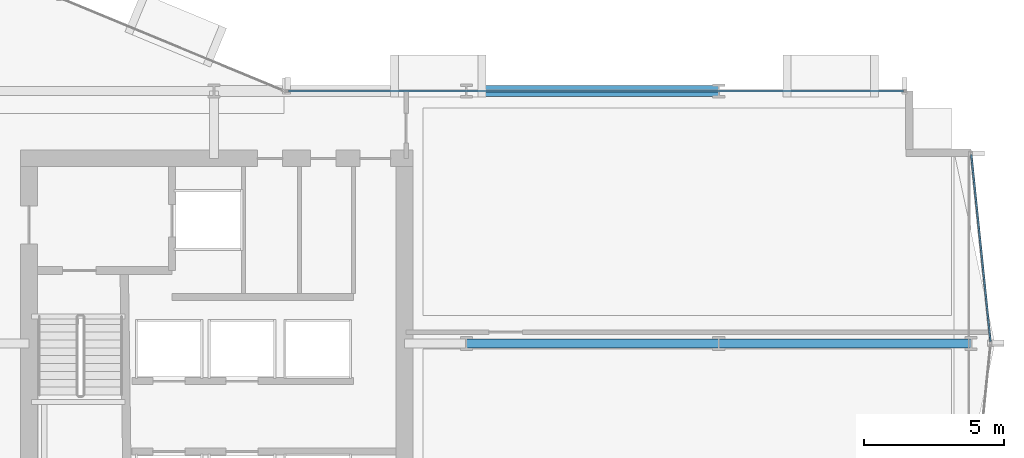
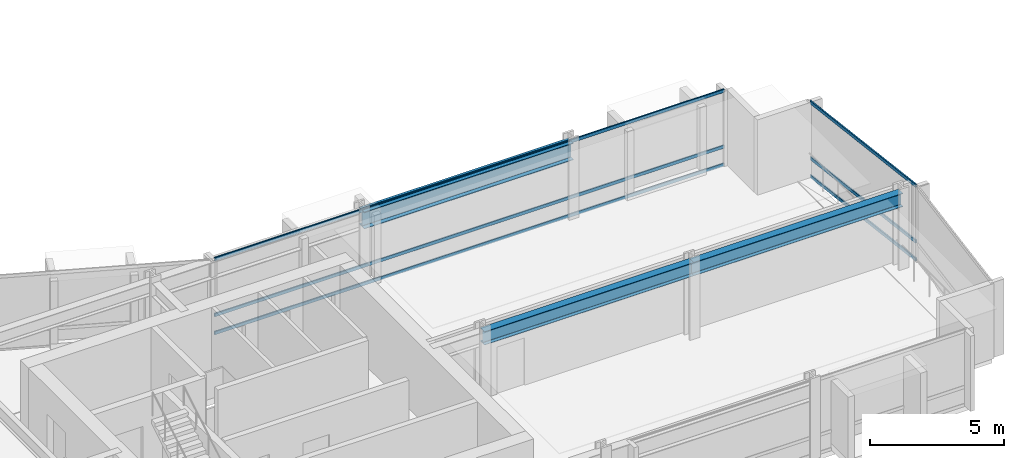
# One storey, part 16 of 34: 6 members, 3 beams, 2 elements without a shape of their own.
"""IFC4 building model written with IfcOpenShell, lengths in metres."""

from ifc_helpers import new_model, si_unit, direction, frame, origin, origin_2d, place, context, subcontext, project, spatial, hollow_rectangle, i_section, extrude, material, layer, layer_set, material_profile, profile_set, type_object, element, aggregate, save


model = new_model("IFC4")

# Units and contexts
model_context = context("Model", 3, precision=1e-05, world=origin(), true_north=direction((0.0, 1.0)))
body_context = subcontext(model_context, "Body", "Model", "MODEL_VIEW")
ifc_project = project(units=[si_unit("LENGTHUNIT", "METRE"), si_unit("AREAUNIT", "SQUARE_METRE"), si_unit("VOLUMEUNIT", "CUBIC_METRE"), si_unit("PLANEANGLEUNIT", "RADIAN"), si_unit("MASSUNIT", "GRAM", prefix="KILO")], contexts=[model_context])

# Site, building, storey
site_placement = place(None, origin())
site = spatial("IfcSite", under=ifc_project, at=site_placement, CompositionType="ELEMENT")
building_placement = place(site_placement, origin())
building = spatial("IfcBuilding", under=site, at=building_placement, Name="Solvaryn Broadcast Tower", CompositionType="ELEMENT")
storey_placement = place(building_placement, frame((0.0, 0.0, 65.60009765625)))
storey = spatial("IfcBuildingStorey", under=building, at=storey_placement, Name="L15", CompositionType="ELEMENT", Elevation=65.60009765625)

# Beams
ifc_material_1 = material(Name="Steel ASTM A992 Grade 50", Category="steel")
ifc_material_profile_1 = material_profile(ifc_material_1, i_section(OverallWidth=0.323974609375, OverallDepth=0.611083984375, WebThickness=0.0126953125, FlangeThickness=0.01904296875, FilletRadius=0.014892578125, at=origin_2d()))
ifc_profile_set_1 = profile_set([ifc_material_profile_1], Name="Steel ASTM A992 Grade 50")
beam_type_1 = type_object("IfcBeamType", Name="BM-B1-W24X104", PredefinedType="BEAM", material=ifc_profile_set_1)
for number, where, z_axis, x_axis, name in (
    (1, (45.0, 18.0, 3.114501953125), (1.0, 0.0, 0.0), (0.0, 1.0, 0.0), "L15 Primary Beam X (45-54 @ Y=18)"),
    (2, (54.0, 18.0, 3.114501953125), (1.0, 0.0, 0.0), (0.0, 1.0, 0.0), "L15 Primary Beam X (54-63 @ Y=18)"),
):
    element("IfcBeam", number, at=place(storey_placement, frame(where, z_axis=z_axis, x_axis=x_axis)), inside=storey, type_object=beam_type_1, Name=name, PredefinedType="BEAM", context=body_context, shape_type="SweptSolid", body=[
        extrude(i_section(OverallWidth=0.323974609375, OverallDepth=0.611083984375, WebThickness=0.0126953125, FlangeThickness=0.01904296875, FilletRadius=0.014892578125, at=origin_2d()), origin(), (0.0, 0.0, 1.0), 9.0),
    ])
ifc_material_2 = material(Name="Steel ASTM A992 Grade 50", Category="steel")
ifc_material_profile_2 = material_profile(ifc_material_2, i_section(OverallWidth=0.381103515625, OverallDepth=0.77294921875, WebThickness=0.0166015625, FlangeThickness=0.027099609375, FilletRadius=0.01806640625, at=origin_2d()))
ifc_profile_set_2 = profile_set([ifc_material_profile_2], Name="Steel ASTM A992 Grade 50")
beam_type_2 = type_object("IfcBeamType", Name="BM-SP1-W30X173", PredefinedType="USERDEFINED", material=ifc_profile_set_2)
beam_placement = place(storey_placement, frame((45.0, 27.0, 3.033447265625), z_axis=(1.0, 0.0, 0.0), x_axis=(0.0, 1.0, 0.0)))
element("IfcBeam", 3, at=beam_placement, inside=storey, type_object=beam_type_2, Name="L15 Spandrel Beam X (45-54 @ Y=27)", ObjectType="SPANDREL", PredefinedType="USERDEFINED", context=body_context, shape_type="SweptSolid", body=[
    extrude(i_section(OverallWidth=0.381103515625, OverallDepth=0.77294921875, WebThickness=0.0166015625, FlangeThickness=0.027099609375, FilletRadius=0.01806640625, at=origin_2d()), origin(), (0.0, 0.0, 1.0), 9.0),
])

# Curtain wall, members
ifc_material_3 = material(Name="Aluminium and Terracotta Unitised Curtain Wall", Category="masonry")
ifc_layer = layer(ifc_material_3, 0.199951171875)
ifc_layer_set = layer_set([ifc_layer], Name="CW-SYS2-LOWMID")
curtain_wall_type = type_object("IfcCurtainWallType", Name="CW-SYS2-LOWMID", PredefinedType="NOTDEFINED", material=ifc_layer_set)
curtain_wall_1_placement = place(storey_placement, origin())
curtain_wall_1 = element("IfcCurtainWall", 4, at=curtain_wall_1_placement, inside=storey, type_object=curtain_wall_type, Name="L15 Curtain Wall ET1", PredefinedType="NOTDEFINED")
ifc_material_4 = material(Name="Anodised Aluminium 6063-T6", Category="aluminium")
ifc_material_profile_3 = material_profile(ifc_material_4, hollow_rectangle(XDim=0.06494140625, YDim=0.14990234375, WallThickness=0.00390625, InnerFilletRadius=0.00390625, OuterFilletRadius=0.008056640625, at=origin_2d()))
ifc_profile_set_3 = profile_set([ifc_material_profile_3], Name="Anodised Aluminium 6063-T6")
member_type = type_object("IfcMemberType", Name="CW-TRN-150", PredefinedType="USERDEFINED", material=ifc_profile_set_3)
member_1_placement = place(storey_placement, frame((63.006103515625, 24.740234375, 0.02978515625), z_axis=(0.102404277363, -0.994742863245, 0.0), x_axis=(0.994742863245, 0.102404277363, 0.0)))
member_1 = element("IfcMember", 5, at=member_1_placement, type_object=member_type, Name="CWS2 transom 1.1", ObjectType="TRANSOM", PredefinedType="USERDEFINED", context=body_context, shape_type="SweptSolid", body=[
    extrude(hollow_rectangle(XDim=0.06494140625, YDim=0.14990234375, WallThickness=0.00390625, InnerFilletRadius=0.00390625, OuterFilletRadius=0.008056640625, at=origin_2d()), origin(), (0.0, 0.0, 1.0), 6.716064453125),
])
member_2_placement = place(storey_placement, frame((63.006103515625, 24.740234375, 0.849853515625), z_axis=(0.102404277363, -0.994742863245, 0.0), x_axis=(0.994742863245, 0.102404277363, 0.0)))
member_2 = element("IfcMember", 6, at=member_2_placement, type_object=member_type, Name="CWS2 transom 1.2", ObjectType="TRANSOM", PredefinedType="USERDEFINED", context=body_context, shape_type="SweptSolid", body=[
    extrude(hollow_rectangle(XDim=0.06494140625, YDim=0.14990234375, WallThickness=0.00390625, InnerFilletRadius=0.00390625, OuterFilletRadius=0.008056640625, at=origin_2d()), origin(), (0.0, 0.0, 1.0), 6.716064453125),
])
member_3_placement = place(storey_placement, frame((63.006103515625, 24.740234375, 3.389892578125), z_axis=(0.102404277363, -0.994742863245, 0.0), x_axis=(0.994742863245, 0.102404277363, 0.0)))
member_3 = element("IfcMember", 7, at=member_3_placement, type_object=member_type, Name="CWS2 transom 1.3", ObjectType="TRANSOM", PredefinedType="USERDEFINED", context=body_context, shape_type="SweptSolid", body=[
    extrude(hollow_rectangle(XDim=0.06494140625, YDim=0.14990234375, WallThickness=0.00390625, InnerFilletRadius=0.00390625, OuterFilletRadius=0.008056640625, at=origin_2d()), origin(), (0.0, 0.0, 1.0), 6.716064453125),
])
aggregate(curtain_wall_1, [member_1, member_2, member_3])

curtain_wall_2_placement = place(storey_placement, origin())
curtain_wall_2 = element("IfcCurtainWall", 8, at=curtain_wall_2_placement, inside=storey, type_object=curtain_wall_type, Name="L15 Curtain Wall IH", PredefinedType="NOTDEFINED")
member_4_placement = place(storey_placement, frame((38.659912109375, 27.0, 0.02978515625), z_axis=(1.0, 0.0, 0.0), x_axis=(0.0, 1.0, 0.0)))
member_4 = element("IfcMember", 9, at=member_4_placement, type_object=member_type, Name="CWS2 transom 1.1", ObjectType="TRANSOM", PredefinedType="USERDEFINED", context=body_context, shape_type="SweptSolid", body=[
    extrude(hollow_rectangle(XDim=0.06494140625, YDim=0.14990234375, WallThickness=0.00390625, InnerFilletRadius=0.00390625, OuterFilletRadius=0.008056640625, at=origin_2d()), origin(), (0.0, 0.0, 1.0), 21.93017578125),
])
member_5_placement = place(storey_placement, frame((38.659912109375, 27.0, 0.849853515625), z_axis=(1.0, 0.0, 0.0), x_axis=(0.0, 1.0, 0.0)))
member_5 = element("IfcMember", 10, at=member_5_placement, type_object=member_type, Name="CWS2 transom 1.2", ObjectType="TRANSOM", PredefinedType="USERDEFINED", context=body_context, shape_type="SweptSolid", body=[
    extrude(hollow_rectangle(XDim=0.06494140625, YDim=0.14990234375, WallThickness=0.00390625, InnerFilletRadius=0.00390625, OuterFilletRadius=0.008056640625, at=origin_2d()), origin(), (0.0, 0.0, 1.0), 21.93017578125),
])
member_6_placement = place(storey_placement, frame((38.659912109375, 27.0, 3.389892578125), z_axis=(1.0, 0.0, 0.0), x_axis=(0.0, 1.0, 0.0)))
member_6 = element("IfcMember", 11, at=member_6_placement, type_object=member_type, Name="CWS2 transom 1.3", ObjectType="TRANSOM", PredefinedType="USERDEFINED", context=body_context, shape_type="SweptSolid", body=[
    extrude(hollow_rectangle(XDim=0.06494140625, YDim=0.14990234375, WallThickness=0.00390625, InnerFilletRadius=0.00390625, OuterFilletRadius=0.008056640625, at=origin_2d()), origin(), (0.0, 0.0, 1.0), 21.93017578125),
])
aggregate(curtain_wall_2, [member_4, member_5, member_6])

save(model, "model.ifc")
